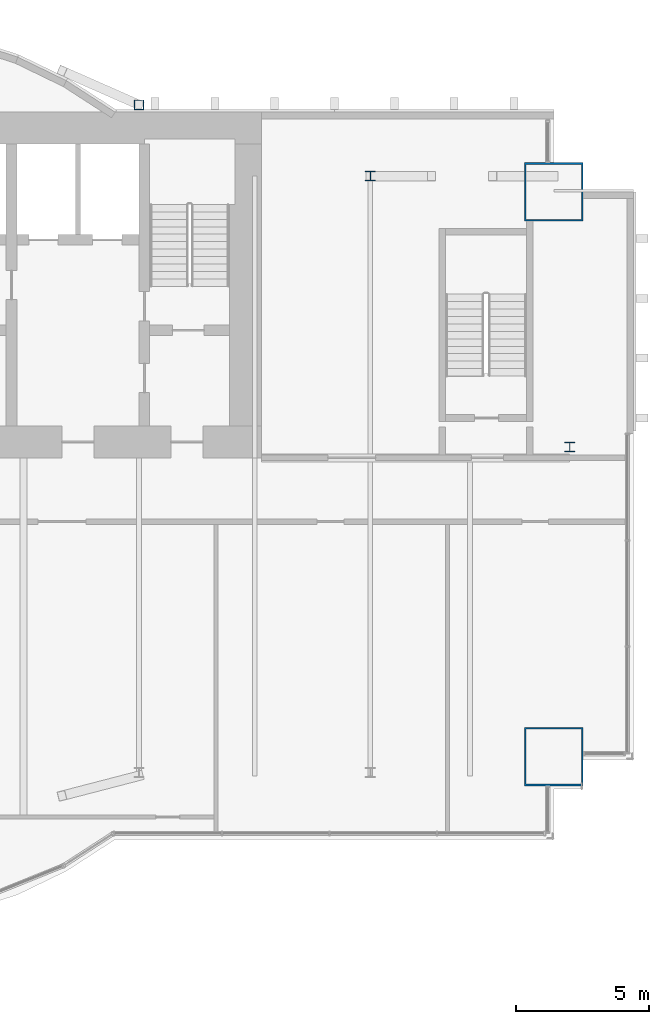
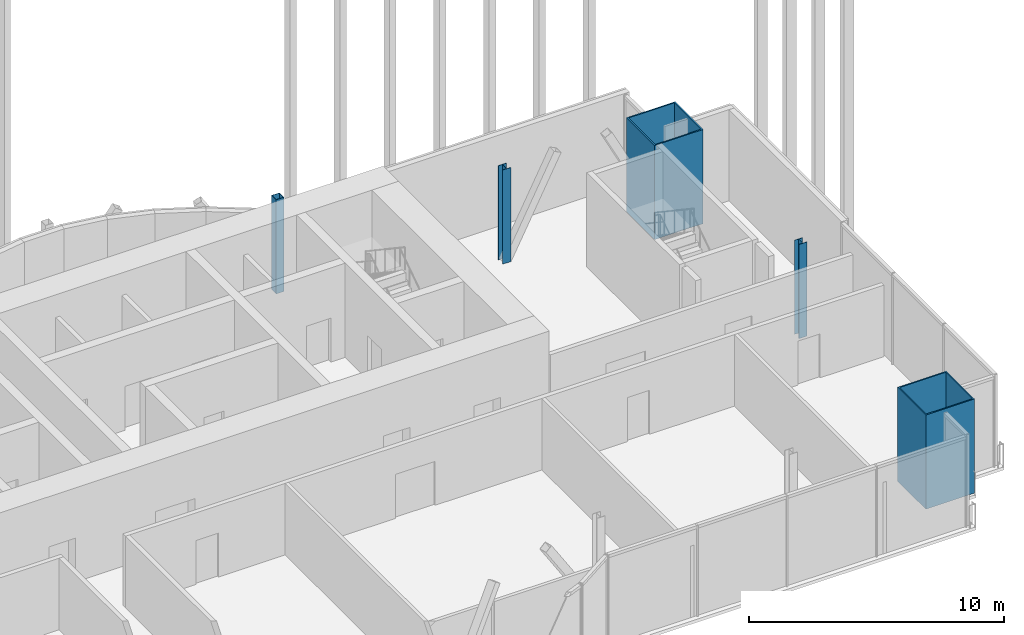
# One storey, part 4 of 22: 5 columns.
"""IFC4 building model written with IfcOpenShell, lengths in metres."""

from ifc_helpers import new_model, si_unit, direction, frame, origin, origin_2d, place, context, subcontext, project, spatial, hollow_rectangle, i_section, extrude, material, material_profile, profile_set, type_object, element, save


model = new_model("IFC4")

# Units and contexts
model_context = context("Model", 3, precision=1e-05, world=origin(), true_north=direction((0.0, 1.0)))
body_context = subcontext(model_context, "Body", "Model", "MODEL_VIEW")
ifc_project = project(units=[si_unit("LENGTHUNIT", "METRE"), si_unit("AREAUNIT", "SQUARE_METRE"), si_unit("VOLUMEUNIT", "CUBIC_METRE"), si_unit("PLANEANGLEUNIT", "RADIAN"), si_unit("MASSUNIT", "GRAM", prefix="KILO")], contexts=[model_context])

# Site, building, storey
site_placement = place(None, origin())
site = spatial("IfcSite", under=ifc_project, at=site_placement, CompositionType="ELEMENT")
building_placement = place(site_placement, origin())
building = spatial("IfcBuilding", under=site, at=building_placement, Name="Bicima Exchange Tower", CompositionType="ELEMENT")
storey_placement = place(building_placement, frame((0.0, 0.0, 293.0)))
storey = spatial("IfcBuildingStorey", under=building, at=storey_placement, Name="L66", CompositionType="ELEMENT", Elevation=293.0)

# Columns
ifc_material_1 = material(Name="Steel ASTM A572 Gr 50", Category="steel")
ifc_material_profile_1 = material_profile(ifc_material_1, hollow_rectangle(XDim=2.199951171875, YDim=2.199951171875, WallThickness=0.06005859375, at=origin_2d()))
ifc_profile_set_1 = profile_set([ifc_material_profile_1], Name="Steel ASTM A572 Gr 50")
column_type_1 = type_object("IfcColumnType", Name="Mega column BOX 2200x2200x60", PredefinedType="COLUMN", material=ifc_profile_set_1)
for number, where, z_axis, x_axis, name in (
    (1, (33.0, -24.238037109375, 0.0), (0.0, 0.0, 1.0), (1.0, 0.0, 0.0), "Mega column mega+33.0f"),
    (2, (33.0, -3.0, 0.0), (0.0, 0.0, 1.0), (1.0, 0.0, 0.0), "Mega column mega+33.0r"),
):
    element("IfcColumn", number, at=place(storey_placement, frame(where, z_axis=z_axis, x_axis=x_axis)), inside=storey, type_object=column_type_1, Name=name, PredefinedType="COLUMN", context=body_context, shape_type="SweptSolid", body=[
        extrude(hollow_rectangle(XDim=2.199951171875, YDim=2.199951171875, WallThickness=0.06005859375, at=origin_2d()), origin(), (0.0, 0.0, 1.0), 4.5),
    ])
ifc_material_2 = material(Name="Steel ASTM A992 Gr 50", Category="steel")
ifc_material_profile_2 = material_profile(ifc_material_2, i_section(OverallWidth=0.368408203125, OverallDepth=0.355712890625, WebThickness=0.01123046875, FlangeThickness=0.01806640625, at=origin_2d()))
ifc_profile_set_2 = profile_set([ifc_material_profile_2], Name="Steel ASTM A992 Gr 50")
column_type_2 = type_object("IfcColumnType", Name="Perimeter column W14x90", PredefinedType="COLUMN", material=ifc_profile_set_2)
for number, where, z_axis, x_axis, name in (
    (3, (26.10009765625, -2.39990234375, 0.0), (0.0, 0.0, 1.0), (1.0, 0.0, 0.0), "Perimeter column grav+26.1r"),
    (4, (33.60009765625, -12.60009765625, 0.0), (0.0, 0.0, 1.0), (1.0, 0.0, 0.0), "End column end+33.6e"),
):
    element("IfcColumn", number, at=place(storey_placement, frame(where, z_axis=z_axis, x_axis=x_axis)), inside=storey, type_object=column_type_2, Name=name, PredefinedType="COLUMN", context=body_context, shape_type="SweptSolid", body=[
        extrude(i_section(OverallWidth=0.368408203125, OverallDepth=0.355712890625, WebThickness=0.01123046875, FlangeThickness=0.01806640625, at=origin_2d()), origin(), (0.0, 0.0, 1.0), 4.5),
    ])
ifc_material_profile_3 = material_profile(ifc_material_1, hollow_rectangle(XDim=0.355712890625, YDim=0.355712890625, WallThickness=0.01171875, at=origin_2d()))
ifc_profile_set_3 = profile_set([ifc_material_profile_3], Name="Steel ASTM A572 Gr 50")
column_type_3 = type_object("IfcColumnType", Name="Rear pilaster HSS14x14x1/2", PredefinedType="COLUMN", material=ifc_profile_set_3)
column_placement = place(storey_placement, frame((17.39990234375, 0.278076171875, 0.0), z_axis=(0.0, 0.0, 1.0), x_axis=(1.0, 0.0, 0.0)))
element("IfcColumn", 5, at=column_placement, inside=storey, type_object=column_type_3, Name="Rear pilaster rexo+17.4r", PredefinedType="COLUMN", context=body_context, shape_type="SweptSolid", body=[
    extrude(hollow_rectangle(XDim=0.355712890625, YDim=0.355712890625, WallThickness=0.01171875, at=origin_2d()), origin(), (0.0, 0.0, 1.0), 4.5),
])

save(model, "model.ifc")
